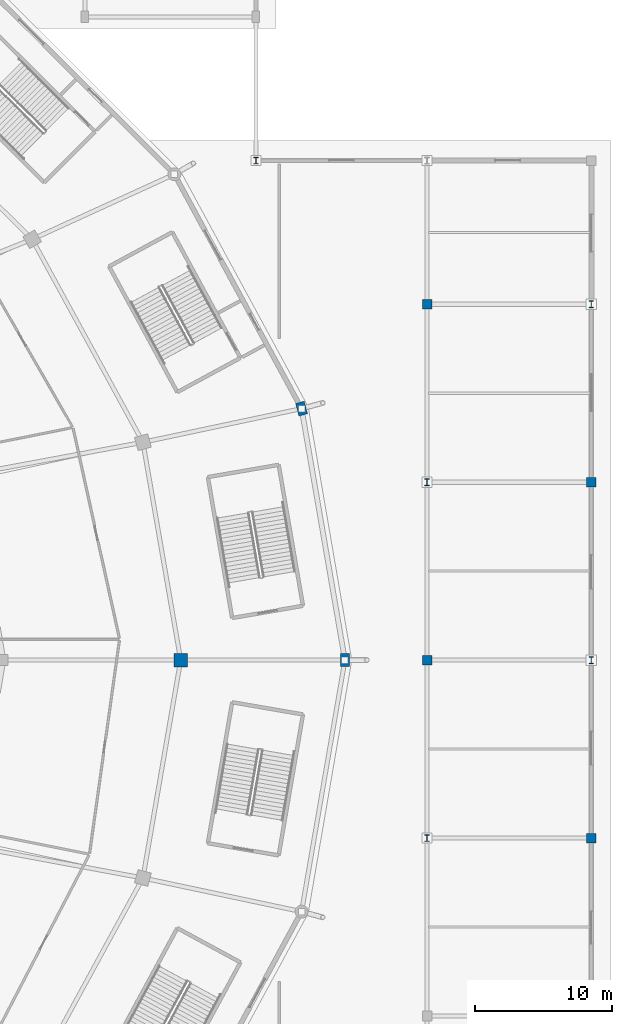
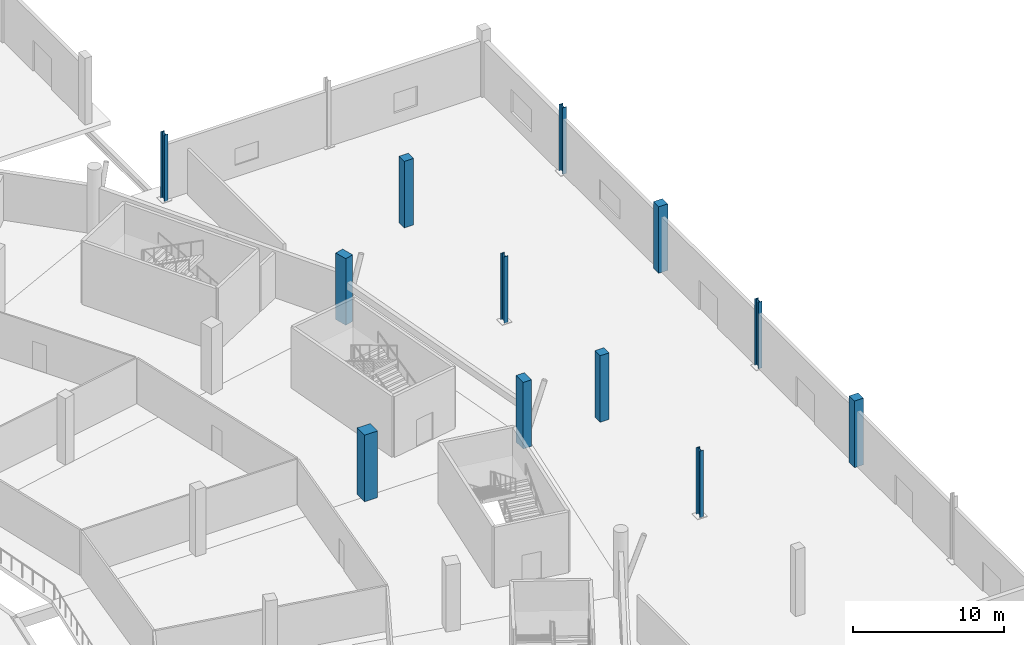
# One storey, part 15 of 82: 12 columns.
"""IFC4 building model written with IfcOpenShell, lengths in metres."""

from ifc_helpers import new_model, si_unit, direction, frame, origin, origin_2d, place, context, subcontext, project, spatial, rectangle, i_section, extrude, material, material_profile, profile_set, type_object, element, save


model = new_model("IFC4")

# Units and contexts
model_context = context("Model", 3, precision=1e-05, world=origin(), true_north=direction((0.0, 1.0)))
body_context = subcontext(model_context, "Body", "Model", "MODEL_VIEW")
ifc_project = project(units=[si_unit("LENGTHUNIT", "METRE"), si_unit("AREAUNIT", "SQUARE_METRE"), si_unit("VOLUMEUNIT", "CUBIC_METRE"), si_unit("PLANEANGLEUNIT", "RADIAN"), si_unit("MASSUNIT", "GRAM", prefix="KILO")], contexts=[model_context])

# Site, building, storey
site_placement = place(None, origin())
site = spatial("IfcSite", under=ifc_project, at=site_placement, CompositionType="ELEMENT")
building_placement = place(site_placement, origin())
building = spatial("IfcBuilding", under=site, at=building_placement, Name="Zlatoyarsky Gate Stadium", CompositionType="ELEMENT")
storey_placement = place(building_placement, origin())
storey = spatial("IfcBuildingStorey", under=building, at=storey_placement, Name="L00", CompositionType="ELEMENT", Elevation=0.0)

# Columns
ifc_material_1 = material(Name="Concrete C40/50", Category="concrete")
ifc_material_profile_1 = material_profile(ifc_material_1, rectangle(XDim=1.0, YDim=1.0, at=origin_2d()), Name="RC COL 1000X1000")
ifc_profile_set_1 = profile_set([ifc_material_profile_1], Name="Concrete C40/50")
column_type_1 = type_object("IfcColumnType", Name="CONCRETE COLUMN 1000X1000", PredefinedType="COLUMN", material=ifc_profile_set_1)
column_placement = place(storey_placement, frame((192.0, 80.0, 0.0), z_axis=(0.0, 0.0, 1.0), x_axis=(1.0, 0.0, 0.0)))
element("IfcColumn", 1, at=column_placement, inside=storey, type_object=column_type_1, Name="Column RC-C100 RB-00 on L00", PredefinedType="COLUMN", context=body_context, shape_type="SweptSolid", body=[
    extrude(rectangle(XDim=1.0, YDim=1.0, at=origin_2d()), origin(), (0.0, 0.0, 1.0), 5.39990234375),
])
ifc_material_profile_2 = material_profile(ifc_material_1, rectangle(XDim=0.699951171875, YDim=0.699951171875, at=origin_2d()), Name="RC COL 700X700")
ifc_profile_set_2 = profile_set([ifc_material_profile_2], Name="Concrete C40/50")
column_type_2 = type_object("IfcColumnType", Name="CONCRETE COLUMN 700X700", PredefinedType="COLUMN", material=ifc_profile_set_2)
for number, where, z_axis, x_axis, name in (
    (2, (210.0, 80.0, 0.0), (0.0, 0.0, 1.0), (1.0, 0.0, 0.0), "Column RC-C70 WG-18-H on L00"),
    (3, (210.0, 106.0, 0.0), (0.0, 0.0, 1.0), (1.0, 0.0, 0.0), "Column RC-C70 WG-18-K on L00"),
    (4, (222.0, 67.0, 0.0), (0.0, 0.0, 1.0), (1.0, 0.0, 0.0), "Column RC-C70 WG-19-G on L00"),
    (5, (222.0, 93.0, 0.0), (0.0, 0.0, 1.0), (1.0, 0.0, 0.0), "Column RC-C70 WG-19-J on L00"),
):
    element("IfcColumn", number, at=place(storey_placement, frame(where, z_axis=z_axis, x_axis=x_axis)), inside=storey, type_object=column_type_2, Name=name, PredefinedType="COLUMN", context=body_context, shape_type="SweptSolid", body=[
        extrude(rectangle(XDim=0.699951171875, YDim=0.699951171875, at=origin_2d()), origin(), (0.0, 0.0, 1.0), 5.39990234375),
    ])
ifc_material_profile_3 = material_profile(ifc_material_1, rectangle(XDim=0.64990234375, YDim=0.949951171875, at=origin_2d()), Name="RC PILASTER 650X950")
ifc_profile_set_3 = profile_set([ifc_material_profile_3], Name="Concrete C40/50")
column_type_3 = type_object("IfcColumnType", Name="CONCRETE PORTAL PILASTER 650X950", PredefinedType="PILASTER", material=ifc_profile_set_3)
for number, where, z_axis, x_axis, name in (
    (6, (204.0, 80.0, 0.0), (0.0, 0.0, 1.0), (1.0, 0.0, 0.0), "Column RC-PL95 RC-00 on L00"),
    (7, (200.8310546875, 98.376220703125, 0.0), (0.0, 0.0, 1.0), (0.965925826289, 0.258819045103, 0.0), "Column RC-PL95 RC-01 on L00"),
):
    element("IfcColumn", number, at=place(storey_placement, frame(where, z_axis=z_axis, x_axis=x_axis)), inside=storey, type_object=column_type_3, Name=name, PredefinedType="PILASTER", context=body_context, shape_type="SweptSolid", body=[
        extrude(rectangle(XDim=0.64990234375, YDim=0.949951171875, at=origin_2d()), origin(), (0.0, 0.0, 1.0), 5.39990234375),
    ])
ifc_material_2 = material(Name="Steel S355", Category="steel")
ifc_material_profile_4 = material_profile(ifc_material_2, i_section(OverallWidth=0.300048828125, OverallDepth=0.5, WebThickness=0.014404296875, FlangeThickness=0.028076171875, FilletRadius=0.027099609375, at=origin_2d()), Name="HEB 500")
ifc_profile_set_4 = profile_set([ifc_material_profile_4], Name="Steel S355")
column_type_4 = type_object("IfcColumnType", Name="STEEL COLUMN HEB 500", PredefinedType="COLUMN", material=ifc_profile_set_4)
for number, where, z_axis, x_axis, name in (
    (8, (197.5, 116.5, 0.0), (0.0, 0.0, 1.0), (1.0, 0.0, 0.0), "Column ST-C500 WG-17-L on L00"),
    (9, (210.0, 67.0, 0.0), (0.0, 0.0, 1.0), (1.0, 0.0, 0.0), "Column ST-C500 WG-18-G on L00"),
    (10, (210.0, 93.0, 0.0), (0.0, 0.0, 1.0), (1.0, 0.0, 0.0), "Column ST-C500 WG-18-J on L00"),
    (11, (222.0, 80.0, 0.0), (0.0, 0.0, 1.0), (1.0, 0.0, 0.0), "Column ST-C500 WG-19-H on L00"),
    (12, (222.0, 106.0, 0.0), (0.0, 0.0, 1.0), (1.0, 0.0, 0.0), "Column ST-C500 WG-19-K on L00"),
):
    element("IfcColumn", number, at=place(storey_placement, frame(where, z_axis=z_axis, x_axis=x_axis)), inside=storey, type_object=column_type_4, Name=name, PredefinedType="COLUMN", context=body_context, shape_type="SweptSolid", body=[
        extrude(i_section(OverallWidth=0.300048828125, OverallDepth=0.5, WebThickness=0.014404296875, FlangeThickness=0.028076171875, FilletRadius=0.027099609375, at=origin_2d()), origin(), (0.0, 0.0, 1.0), 5.39990234375),
    ])

save(model, "model.ifc")
